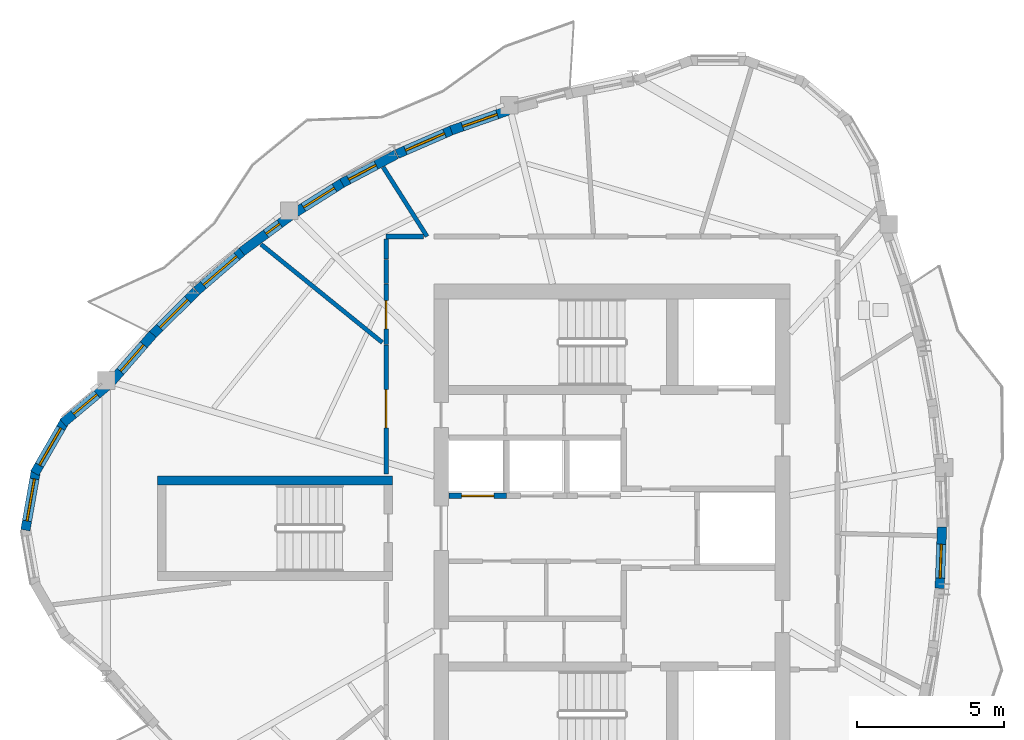
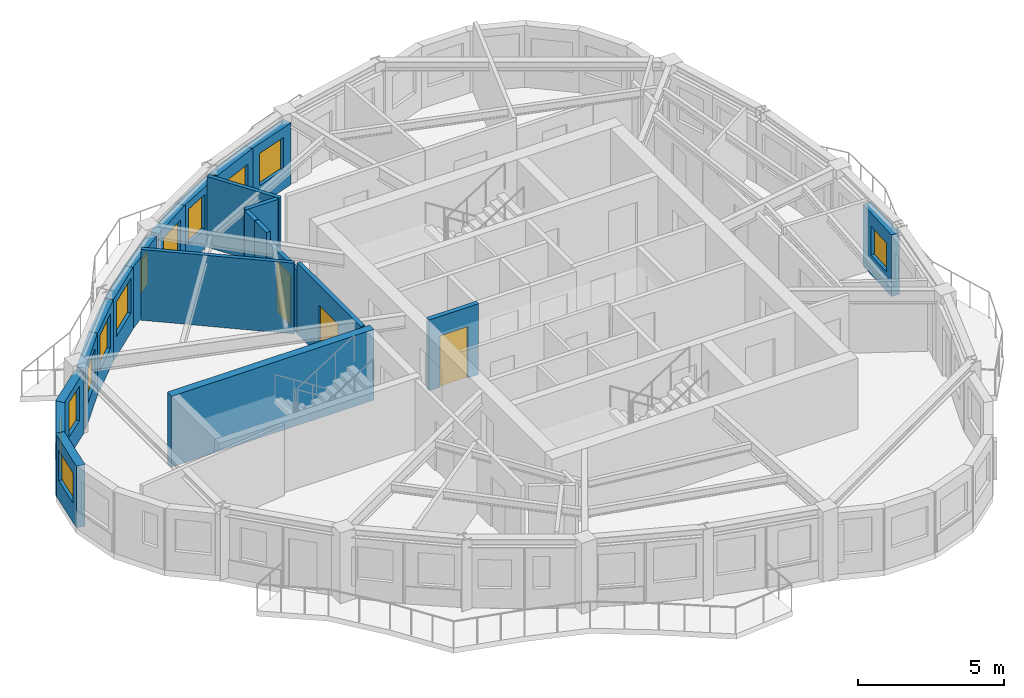
# One storey, part 5 of 11: 21 walls, 12 windows, 3 doors, 15 openings.
"""IFC4 building model written with IfcOpenShell, lengths in metres."""

from ifc_helpers import new_model, si_unit, direction, frame, frame_2d, origin, place, context, subcontext, project, spatial, rectangle, extrude, source, transform, mapped, material, layer, layer_set, type_object, element, fill, save


model = new_model("IFC4")

# Units and contexts
model_context = context("Model", 3, precision=1e-05, world=origin(), true_north=direction((0.0, 1.0)))
body_context = subcontext(model_context, "Body", "Model", "MODEL_VIEW")
ifc_project = project(units=[si_unit("LENGTHUNIT", "METRE"), si_unit("AREAUNIT", "SQUARE_METRE"), si_unit("VOLUMEUNIT", "CUBIC_METRE"), si_unit("PLANEANGLEUNIT", "RADIAN"), si_unit("MASSUNIT", "GRAM", prefix="KILO")], contexts=[model_context])

# Site, building, storey
site_placement = place(None, origin())
site = spatial("IfcSite", under=ifc_project, at=site_placement, CompositionType="ELEMENT")
building_placement = place(site_placement, origin())
building = spatial("IfcBuilding", under=site, at=building_placement, Name="Qafzar Sky-Pleat Residences", CompositionType="ELEMENT")
storey_placement = place(building_placement, frame((0.0, 0.0, 246.800048828125)))
storey = spatial("IfcBuildingStorey", under=building, at=storey_placement, Name="L74", CompositionType="ELEMENT", Elevation=246.800048828125)

# Wall, opening, door
ifc_material_1 = material(Name="Acoustic gypsum plasterboard partition", Category="gypsum")
ifc_layer_1 = layer(ifc_material_1, 0.159912109375)
ifc_layer_set_1 = layer_set([ifc_layer_1], Name="Acoustic gypsum plasterboard partition")
wall_type_1 = type_object("IfcWallType", Name="PART-COR-160", PredefinedType="PARTITIONING", material=ifc_layer_set_1)
wall_1_placement = place(storey_placement, frame((22.679931640625, 27.85009765625, 0.0), z_axis=(0.0, 0.0, 1.0), x_axis=(0.0, 1.0, 0.0)))
wall_1 = element("IfcWall", 1, at=wall_1_placement, inside=storey, type_object=wall_type_1, Name="L74 Partition Wall PART-L74-PW-003", PredefinedType="PARTITIONING", context=body_context, shape_type="SweptSolid", body=[
    extrude(rectangle(XDim=4.376953125, YDim=0.159912109375, at=frame_2d((2.1884765625, 0.0))), origin(), (0.0, 0.0, 1.0), 2.9599609375),
])
opening_1_placement = place(wall_1_placement, frame((1.55859375, 0.0, 0.0)))
opening_1 = element("IfcOpeningElement", 2, at=opening_1_placement, cuts=wall_1, Name="Opening ID-05", PredefinedType="OPENING", context=body_context, shape_type="SweptSolid", body=[
    extrude(rectangle(XDim=1.300048828125, YDim=2.10009765625, at=frame_2d((0.64990234375, 1.050048828125))), frame((0.0, 0.08984375, 0.0), z_axis=(0.0, -1.0, 0.0), x_axis=(1.0, 0.0, 0.0)), (0.0, 0.0, 1.0), 0.179931640625),
])
ifc_material_2 = material(Name="Timber-faced fire door", Category="wood")
door_type_1 = type_object("IfcDoorType", Name="DR-LNG-1300", OperationType="DOUBLE_DOOR_SINGLE_SWING", PredefinedType="DOOR", material=ifc_material_2)
shared_shape_1 = source(origin(), body_context, "Body", "SweptSolid", [
    extrude(rectangle(XDim=1.300048828125, YDim=2.10009765625, at=frame_2d((0.64990234375, 1.050048828125))), frame((0.0, 0.02490234375, 0.0), z_axis=(0.0, -1.0, 0.0), x_axis=(1.0, 0.0, 0.0)), (0.0, 0.0, 1.0), 0.050048828125),
])
door_1_placement = place(opening_1_placement, origin())
door_1 = element("IfcDoor", 3, at=door_1_placement, inside=storey, type_object=door_type_1, Name="L74 Tutorial Huddle Room Door", OperationType="DOUBLE_DOOR_SINGLE_SWING", OverallHeight=2.10009765625, OverallWidth=1.300048828125, PredefinedType="DOOR", context=body_context, shape_type="MappedRepresentation", body=[
    mapped(shared_shape_1, transform((0.0, 0.0, 0.0), x_axis=(1.0, 0.0, 0.0), y_axis=(0.0, 1.0, 0.0), z_axis=(0.0, 0.0, 1.0), scale=1.0)),
])
fill(opening_1, door_1)

wall_2_placement = place(storey_placement, frame((22.679931640625, 32.241943359375, 0.0), z_axis=(0.0, 0.0, 1.0), x_axis=(0.0, 1.0, 0.0)))
wall_2 = element("IfcWall", 4, at=wall_2_placement, inside=storey, type_object=wall_type_1, Name="L74 Partition Wall PART-L74-PW-010", PredefinedType="PARTITIONING", context=body_context, shape_type="SweptSolid", body=[
    extrude(rectangle(XDim=2.05810546875, YDim=0.159912109375, at=frame_2d((1.029052734375, 0.0))), origin(), (0.0, 0.0, 1.0), 2.6279296875),
])
opening_2_placement = place(wall_2_placement, frame((0.531982421875, 0.0, 0.0)))
opening_2 = element("IfcOpeningElement", 5, at=opening_2_placement, cuts=wall_2, Name="Opening ID-06", PredefinedType="OPENING", context=body_context, shape_type="SweptSolid", body=[
    extrude(rectangle(XDim=0.9599609375, YDim=2.10009765625, at=frame_2d((0.47998046875, 1.050048828125))), frame((0.0, 0.08984375, 0.0), z_axis=(0.0, -1.0, 0.0), x_axis=(1.0, 0.0, 0.0)), (0.0, 0.0, 1.0), 0.179931640625),
])
door_type_2 = type_object("IfcDoorType", Name="DR-STD-960", OperationType="NOTDEFINED", PredefinedType="DOOR", material=ifc_material_2)
shared_shape_2 = source(origin(), body_context, "Body", "SweptSolid", [
    extrude(rectangle(XDim=0.9599609375, YDim=2.10009765625, at=frame_2d((0.47998046875, 1.050048828125))), frame((0.0, 0.02490234375, 0.0), z_axis=(0.0, -1.0, 0.0), x_axis=(1.0, 0.0, 0.0)), (0.0, 0.0, 1.0), 0.050048828125),
])
door_2_placement = place(opening_2_placement, origin())
door_2 = element("IfcDoor", 6, at=door_2_placement, inside=storey, type_object=door_type_2, Name="L74 Media Screening Room Door", OperationType="SINGLE_SWING_LEFT", OverallHeight=2.10009765625, OverallWidth=0.9599609375, PredefinedType="DOOR", context=body_context, shape_type="MappedRepresentation", body=[
    mapped(shared_shape_2, transform((0.0, 0.0, 0.0), x_axis=(1.0, 0.0, 0.0), y_axis=(0.0, 1.0, 0.0), z_axis=(0.0, 0.0, 1.0), scale=1.0)),
])
fill(opening_2, door_2)

# Walls
wall_3_placement = place(storey_placement, frame((22.679931640625, 35.919921875, 0.0), z_axis=(0.0, 0.0, 1.0), x_axis=(1.0, 0.0, 0.0)))
element("IfcWall", 7, at=wall_3_placement, inside=storey, type_object=wall_type_1, Name="L74 Partition Wall PART-L74-PW-024", PredefinedType="PARTITIONING", context=body_context, shape_type="SweptSolid", body=[
    extrude(rectangle(XDim=1.261474609375, YDim=0.159912109375, at=frame_2d((0.630859375, 0.0))), origin(), (0.0, 0.0, 1.0), 2.9599609375),
])
wall_4_placement = place(storey_placement, frame((22.679931640625, 34.31494140625, 0.0), z_axis=(0.0, 0.0, 1.0), x_axis=(0.0, 1.0, 0.0)))
element("IfcWall", 8, at=wall_4_placement, inside=storey, type_object=wall_type_1, Name="L74 Partition Wall PART-L74-PW-028", PredefinedType="PARTITIONING", context=body_context, shape_type="SweptSolid", body=[
    extrude(rectangle(XDim=0.816162109375, YDim=0.159912109375, at=frame_2d((0.408203125, 0.0))), origin(), (0.0, 0.0, 1.0), 2.9599609375),
])
wall_5_placement = place(storey_placement, frame((22.679931640625, 35.14599609375, 0.0), z_axis=(0.0, 0.0, 1.0), x_axis=(0.0, 1.0, 0.0)))
element("IfcWall", 9, at=wall_5_placement, inside=storey, type_object=wall_type_1, Name="L74 Partition Wall PART-L74-PW-030", PredefinedType="PARTITIONING", context=body_context, shape_type="SweptSolid", body=[
    extrude(rectangle(XDim=0.68603515625, YDim=0.159912109375, at=frame_2d((0.343017578125, 0.0))), origin(), (0.0, 0.0, 1.0), 2.9599609375),
])

# Wall, opening, door
ifc_material_3 = material(Name="Concrete blockwork partition", Category="masonry")
ifc_layer_2 = layer(ifc_material_3, 0.179931640625)
ifc_layer_set_2 = layer_set([ifc_layer_2], Name="Concrete blockwork partition")
wall_type_2 = type_object("IfcWallType", Name="PART-SHAFT-180", PredefinedType="PARTITIONING", material=ifc_layer_set_2)
wall_6_placement = place(storey_placement, frame((24.81005859375, 27.10009765625, 0.0), z_axis=(0.0, 0.0, 1.0), x_axis=(1.0, 0.0, 0.0)))
wall_6 = element("IfcWall", 10, at=wall_6_placement, inside=storey, type_object=wall_type_2, Name="L74 Partition Wall PART-L74-P4-S", PredefinedType="PARTITIONING", context=body_context, shape_type="SweptSolid", body=[
    extrude(rectangle(XDim=1.96484375, YDim=0.179931640625, at=frame_2d((0.982421875, 0.0))), origin(), (0.0, 0.0, 1.0), 2.9599609375),
])
opening_3_placement = place(wall_6_placement, frame((0.4326171875, 0.0, 0.0)))
opening_3 = element("IfcOpeningElement", 11, at=opening_3_placement, cuts=wall_6, Name="Opening LD-01", PredefinedType="OPENING", context=body_context, shape_type="SweptSolid", body=[
    extrude(rectangle(XDim=1.10009765625, YDim=2.14990234375, at=frame_2d((0.550048828125, 1.074951171875))), frame((0.0, 0.10009765625, 0.0), z_axis=(0.0, -1.0, 0.0), x_axis=(1.0, 0.0, 0.0)), (0.0, 0.0, 1.0), 0.199951171875),
])
ifc_material_4 = material(Name="Stainless steel sliding landing door", Category="steel")
door_type_3 = type_object("IfcDoorType", Name="DR-LIFT-P", OperationType="DOUBLE_DOOR_SLIDING", PredefinedType="DOOR", material=ifc_material_4)
shared_shape_3 = source(origin(), body_context, "Body", "SweptSolid", [
    extrude(rectangle(XDim=1.10009765625, YDim=2.14990234375, at=frame_2d((0.550048828125, 1.074951171875))), frame((0.0, 0.02490234375, 0.0), z_axis=(0.0, -1.0, 0.0), x_axis=(1.0, 0.0, 0.0)), (0.0, 0.0, 1.0), 0.050048828125),
])
door_3_placement = place(opening_3_placement, origin())
door_3 = element("IfcDoor", 12, at=door_3_placement, inside=storey, type_object=door_type_3, Name="L74 Passenger Lift P4 Landing Door", OperationType="DOUBLE_DOOR_SLIDING", OverallHeight=2.14990234375, OverallWidth=1.10009765625, PredefinedType="DOOR", context=body_context, shape_type="MappedRepresentation", body=[
    mapped(shared_shape_3, transform((0.0, 0.0, 0.0), x_axis=(1.0, 0.0, 0.0), y_axis=(0.0, 1.0, 0.0), z_axis=(0.0, 0.0, 1.0), scale=1.0)),
])
fill(opening_3, door_3)

# Walls
ifc_layer_3 = layer(ifc_material_1, 0.14501953125)
ifc_layer_set_3 = layer_set([ifc_layer_3], Name="Acoustic gypsum plasterboard partition")
wall_type_3 = type_object("IfcWallType", Name="PART-UNIT-145", PredefinedType="PARTITIONING", material=ifc_layer_set_3)
wall_7_placement = place(storey_placement, frame((18.425537109375, 35.65087890625, 0.0), z_axis=(0.0, 0.0, 1.0), x_axis=(0.777348848989, -0.629069763202, 0.0)))
element("IfcWall", 13, at=wall_7_placement, inside=storey, type_object=wall_type_3, Name="L74 Partition Wall PART-L74-PW-015", PredefinedType="PARTITIONING", context=body_context, shape_type="SweptSolid", body=[
    extrude(rectangle(XDim=5.303466796875, YDim=0.14501953125, at=frame_2d((2.65185546875, 0.0))), origin(), (0.0, 0.0, 1.0), 2.9599609375),
])
wall_8_placement = place(storey_placement, frame((22.576416015625, 38.275390625, 0.0), z_axis=(0.0, 0.0, 1.0), x_axis=(0.535027081988, -0.84483490786, 0.0)))
element("IfcWall", 14, at=wall_8_placement, inside=storey, type_object=wall_type_3, Name="L74 Partition Wall PART-L74-PW-021", PredefinedType="PARTITIONING", context=body_context, shape_type="SweptSolid", body=[
    extrude(rectangle(XDim=2.7880859375, YDim=0.14501953125, at=frame_2d((1.39404296875, 0.0))), origin(), (0.0, 0.0, 1.0), 2.9599609375),
])

# Wall, opening, window
ifc_material_5 = material(Name="Precast concrete C40/50 with honed Riyadh limestone", Category="concrete")
ifc_layer_4 = layer(ifc_material_5, 0.320068359375)
ifc_layer_set_4 = layer_set([ifc_layer_4], Name="Precast concrete C40/50 with honed Riyadh limestone")
wall_type_4 = type_object("IfcWallType", Name="WALL-EXT-320", PredefinedType="SOLIDWALL", material=ifc_layer_set_4)
wall_9_placement = place(storey_placement, frame((13.198974609375, 30.842529296875, 0.0), z_axis=(0.0, 0.0, 1.0), x_axis=(-0.766116451135, -0.642701784112, 0.0)))
wall_9 = element("IfcWall", 15, at=wall_9_placement, inside=storey, type_object=wall_type_4, Name="L74 Limestone Facade Wall 1", PredefinedType="SOLIDWALL", context=body_context, shape_type="SweptSolid", body=[
    extrude(rectangle(XDim=1.96240234375, YDim=0.320068359375, at=frame_2d((0.981201171875, 0.0))), origin(), (0.0, 0.0, 1.0), 2.579833984375),
])
opening_4_placement = place(wall_9_placement, frame((0.451171875, 0.0, 0.820068359375)))
opening_4 = element("IfcOpeningElement", 16, at=opening_4_placement, cuts=wall_9, Name="Opening WN-06", PredefinedType="OPENING", context=body_context, shape_type="SweptSolid", body=[
    extrude(rectangle(XDim=1.050048828125, YDim=1.449951171875, at=frame_2d((0.52490234375, 0.72509765625))), frame((0.0, 0.169921875, 0.0), z_axis=(0.0, -1.0, 0.0), x_axis=(1.0, 0.0, 0.0)), (0.0, 0.0, 1.0), 0.340087890625),
])
ifc_material_6 = material(Name="Solar-control low-E glass in bronze aluminium frame", Category="glass")
window_type_1 = type_object("IfcWindowType", Name="WIN-06", PartitioningType="SINGLE_PANEL", PredefinedType="WINDOW", material=ifc_material_6)
shared_shape_4 = source(origin(), body_context, "Body", "SweptSolid", [
    extrude(rectangle(XDim=1.050048828125, YDim=1.449951171875, at=frame_2d((0.52490234375, 0.72509765625))), frame((0.0, 0.030029296875, 0.0), z_axis=(0.0, -1.0, 0.0), x_axis=(1.0, 0.0, 0.0)), (0.0, 0.0, 1.0), 0.06005859375),
])
window_1_placement = place(opening_4_placement, origin())
window_1 = element("IfcWindow", 17, at=window_1_placement, inside=storey, type_object=window_type_1, Name="L74 Punched Facade Window 01", OverallHeight=1.449951171875, OverallWidth=1.050048828125, PartitioningType="SINGLE_PANEL", PredefinedType="WINDOW", context=body_context, shape_type="MappedRepresentation", body=[
    mapped(shared_shape_4, transform((0.0, 0.0, 0.0), x_axis=(1.0, 0.0, 0.0), y_axis=(0.0, 1.0, 0.0), z_axis=(0.0, 0.0, 1.0), scale=1.0)),
])
fill(opening_4, window_1)

wall_10_placement = place(storey_placement, frame((11.779541015625, 29.68115234375, 0.0), z_axis=(0.0, 0.0, 1.0), x_axis=(-0.499995423472, -0.866028046028, 0.0)))
wall_10 = element("IfcWall", 18, at=wall_10_placement, inside=storey, type_object=wall_type_4, Name="L74 Limestone Facade Wall 2", PredefinedType="SOLIDWALL", context=body_context, shape_type="SweptSolid", body=[
    extrude(rectangle(XDim=2.09033203125, YDim=0.320068359375, at=frame_2d((1.045166015625, 0.0))), origin(), (0.0, 0.0, 1.0), 2.579833984375),
])
opening_5_placement = place(wall_10_placement, frame((0.3203125, 0.0, 0.820068359375)))
opening_5 = element("IfcOpeningElement", 19, at=opening_5_placement, cuts=wall_10, Name="Opening WN-15", PredefinedType="OPENING", context=body_context, shape_type="SweptSolid", body=[
    extrude(rectangle(XDim=1.449951171875, YDim=1.25, at=frame_2d((0.72509765625, 0.625))), frame((0.0, 0.169921875, 0.0), z_axis=(0.0, -1.0, 0.0), x_axis=(1.0, 0.0, 0.0)), (0.0, 0.0, 1.0), 0.340087890625),
])
window_type_2 = type_object("IfcWindowType", Name="WIN-15", PartitioningType="SINGLE_PANEL", PredefinedType="WINDOW", material=ifc_material_6)
shared_shape_5 = source(origin(), body_context, "Body", "SweptSolid", [
    extrude(rectangle(XDim=1.449951171875, YDim=1.25, at=frame_2d((0.72509765625, 0.625))), frame((0.0, 0.030029296875, 0.0), z_axis=(0.0, -1.0, 0.0), x_axis=(1.0, 0.0, 0.0)), (0.0, 0.0, 1.0), 0.06005859375),
])
window_2_placement = place(opening_5_placement, origin())
window_2 = element("IfcWindow", 20, at=window_2_placement, inside=storey, type_object=window_type_2, Name="L74 Punched Facade Window 02", OverallHeight=1.25, OverallWidth=1.449951171875, PartitioningType="SINGLE_PANEL", PredefinedType="WINDOW", context=body_context, shape_type="MappedRepresentation", body=[
    mapped(shared_shape_5, transform((0.0, 0.0, 0.0), x_axis=(1.0, 0.0, 0.0), y_axis=(0.0, 1.0, 0.0), z_axis=(0.0, 0.0, 1.0), scale=1.0)),
])
fill(opening_5, window_2)

wall_11_placement = place(storey_placement, frame((10.779052734375, 27.993408203125, 0.0), z_axis=(0.0, 0.0, 1.0), x_axis=(-0.173672066494, -0.984803540469, 0.0)))
wall_11 = element("IfcWall", 21, at=wall_11_placement, inside=storey, type_object=wall_type_4, Name="L74 Limestone Facade Wall 3", PredefinedType="SOLIDWALL", context=body_context, shape_type="SweptSolid", body=[
    extrude(rectangle(XDim=2.09033203125, YDim=0.320068359375, at=frame_2d((1.045166015625, 0.0))), origin(), (0.0, 0.0, 1.0), 2.579833984375),
])
opening_6_placement = place(wall_11_placement, frame((0.3203125, 0.0, 0.820068359375)))
opening_6 = element("IfcOpeningElement", 22, at=opening_6_placement, cuts=wall_11, Name="Opening WN-15", PredefinedType="OPENING", context=body_context, shape_type="SweptSolid", body=[
    extrude(rectangle(XDim=1.449951171875, YDim=1.25, at=frame_2d((0.72509765625, 0.625))), frame((0.0, 0.169921875, 0.0), z_axis=(0.0, -1.0, 0.0), x_axis=(1.0, 0.0, 0.0)), (0.0, 0.0, 1.0), 0.340087890625),
])
window_3_placement = place(opening_6_placement, origin())
window_3 = element("IfcWindow", 23, at=window_3_placement, inside=storey, type_object=window_type_2, Name="L74 Punched Facade Window 03", OverallHeight=1.25, OverallWidth=1.449951171875, PartitioningType="SINGLE_PANEL", PredefinedType="WINDOW", context=body_context, shape_type="MappedRepresentation", body=[
    mapped(shared_shape_5, transform((0.0, 0.0, 0.0), x_axis=(1.0, 0.0, 0.0), y_axis=(0.0, 1.0, 0.0), z_axis=(0.0, 0.0, 1.0), scale=1.0)),
])
fill(opening_6, window_3)

wall_12_placement = place(storey_placement, frame((41.49365234375, 23.958984375, 0.0), z_axis=(0.0, 0.0, 1.0), x_axis=(0.038028678064, 0.999276648203, 0.0)))
wall_12 = element("IfcWall", 24, at=wall_12_placement, inside=storey, type_object=wall_type_4, Name="L74 Limestone Facade Wall 27", PredefinedType="SOLIDWALL", context=body_context, shape_type="SweptSolid", body=[
    extrude(rectangle(XDim=2.08642578125, YDim=0.320068359375, at=frame_2d((1.043212890625, 0.0))), origin(), (0.0, 0.0, 1.0), 2.579833984375),
])
opening_7_placement = place(wall_12_placement, frame((0.34619140625, 0.0, 0.820068359375)))
opening_7 = element("IfcOpeningElement", 25, at=opening_7_placement, cuts=wall_12, Name="Opening WN-16", PredefinedType="OPENING", context=body_context, shape_type="SweptSolid", body=[
    extrude(rectangle(XDim=1.14990234375, YDim=1.199951171875, at=frame_2d((0.574951171875, 0.60009765625))), frame((0.0, 0.169921875, 0.0), z_axis=(0.0, -1.0, 0.0), x_axis=(1.0, 0.0, 0.0)), (0.0, 0.0, 1.0), 0.340087890625),
])
window_type_3 = type_object("IfcWindowType", Name="WIN-16", PartitioningType="SINGLE_PANEL", PredefinedType="WINDOW", material=ifc_material_6)
shared_shape_6 = source(origin(), body_context, "Body", "SweptSolid", [
    extrude(rectangle(XDim=1.14990234375, YDim=1.199951171875, at=frame_2d((0.574951171875, 0.60009765625))), frame((0.0, 0.030029296875, 0.0), z_axis=(0.0, -1.0, 0.0), x_axis=(1.0, 0.0, 0.0)), (0.0, 0.0, 1.0), 0.06005859375),
])
window_4_placement = place(opening_7_placement, origin())
window_4 = element("IfcWindow", 26, at=window_4_placement, inside=storey, type_object=window_type_3, Name="L74 Punched Facade Window 27", OverallHeight=1.199951171875, OverallWidth=1.14990234375, PartitioningType="SINGLE_PANEL", PredefinedType="WINDOW", context=body_context, shape_type="MappedRepresentation", body=[
    mapped(shared_shape_6, transform((0.0, 0.0, 0.0), x_axis=(1.0, 0.0, 0.0), y_axis=(0.0, 1.0, 0.0), z_axis=(0.0, 0.0, 1.0), scale=1.0)),
])
fill(opening_7, window_4)

wall_13_placement = place(storey_placement, frame((26.826416015625, 40.199462890625, 0.0), z_axis=(0.0, 0.0, 1.0), x_axis=(-0.944152853185, -0.329507799335, 0.0)))
wall_13 = element("IfcWall", 27, at=wall_13_placement, inside=storey, type_object=wall_type_4, Name="L74 Limestone Facade Wall 41", PredefinedType="SOLIDWALL", context=body_context, shape_type="SweptSolid", body=[
    extrude(rectangle(XDim=2.05224609375, YDim=0.320068359375, at=frame_2d((1.026123046875, 0.0))), origin(), (0.0, 0.0, 1.0), 2.579833984375),
])
opening_8_placement = place(wall_13_placement, frame((0.39599609375, 0.0, 0.820068359375)))
opening_8 = element("IfcOpeningElement", 28, at=opening_8_placement, cuts=wall_13, Name="Opening WN-11", PredefinedType="OPENING", context=body_context, shape_type="SweptSolid", body=[
    extrude(rectangle(XDim=1.25, YDim=1.35009765625, at=frame_2d((0.625, 0.675048828125))), frame((0.0, 0.169921875, 0.0), z_axis=(0.0, -1.0, 0.0), x_axis=(1.0, 0.0, 0.0)), (0.0, 0.0, 1.0), 0.340087890625),
])
window_type_4 = type_object("IfcWindowType", Name="WIN-11", PartitioningType="SINGLE_PANEL", PredefinedType="WINDOW", material=ifc_material_6)
shared_shape_7 = source(origin(), body_context, "Body", "SweptSolid", [
    extrude(rectangle(XDim=1.25, YDim=1.35009765625, at=frame_2d((0.625, 0.675048828125))), frame((0.0, 0.030029296875, 0.0), z_axis=(0.0, -1.0, 0.0), x_axis=(1.0, 0.0, 0.0)), (0.0, 0.0, 1.0), 0.06005859375),
])
window_5_placement = place(opening_8_placement, origin())
window_5 = element("IfcWindow", 29, at=window_5_placement, inside=storey, type_object=window_type_4, Name="L74 Punched Facade Window 41", OverallHeight=1.35009765625, OverallWidth=1.25, PartitioningType="SINGLE_PANEL", PredefinedType="WINDOW", context=body_context, shape_type="MappedRepresentation", body=[
    mapped(shared_shape_7, transform((0.0, 0.0, 0.0), x_axis=(1.0, 0.0, 0.0), y_axis=(0.0, 1.0, 0.0), z_axis=(0.0, 0.0, 1.0), scale=1.0)),
])
fill(opening_8, window_5)

wall_14_placement = place(storey_placement, frame((24.970458984375, 39.55517578125, 0.0), z_axis=(0.0, 0.0, 1.0), x_axis=(-0.917086701486, -0.398687825193, 0.0)))
wall_14 = element("IfcWall", 30, at=wall_14_placement, inside=storey, type_object=wall_type_4, Name="L74 Limestone Facade Wall 42", PredefinedType="SOLIDWALL", context=body_context, shape_type="SweptSolid", body=[
    extrude(rectangle(XDim=2.0986328125, YDim=0.320068359375, at=frame_2d((1.04931640625, 0.0))), origin(), (0.0, 0.0, 1.0), 2.579833984375),
])
opening_9_placement = place(wall_14_placement, frame((0.334228515625, 0.0, 0.820068359375)))
opening_9 = element("IfcOpeningElement", 31, at=opening_9_placement, cuts=wall_14, Name="Opening WN-15", PredefinedType="OPENING", context=body_context, shape_type="SweptSolid", body=[
    extrude(rectangle(XDim=1.449951171875, YDim=1.25, at=frame_2d((0.72509765625, 0.625))), frame((0.0, 0.169921875, 0.0), z_axis=(0.0, -1.0, 0.0), x_axis=(1.0, 0.0, 0.0)), (0.0, 0.0, 1.0), 0.340087890625),
])
window_6_placement = place(opening_9_placement, origin())
window_6 = element("IfcWindow", 32, at=window_6_placement, inside=storey, type_object=window_type_2, Name="L74 Punched Facade Window 42", OverallHeight=1.25, OverallWidth=1.449951171875, PartitioningType="SINGLE_PANEL", PredefinedType="WINDOW", context=body_context, shape_type="MappedRepresentation", body=[
    mapped(shared_shape_5, transform((0.0, 0.0, 0.0), x_axis=(1.0, 0.0, 0.0), y_axis=(0.0, 1.0, 0.0), z_axis=(0.0, 0.0, 1.0), scale=1.0)),
])
fill(opening_9, window_6)

wall_15_placement = place(storey_placement, frame((23.02099609375, 38.70654296875, 0.0), z_axis=(0.0, 0.0, 1.0), x_axis=(-0.884384752847, -0.466758619558, 0.0)))
wall_15 = element("IfcWall", 33, at=wall_15_placement, inside=storey, type_object=wall_type_4, Name="L74 Limestone Facade Wall 43", PredefinedType="SOLIDWALL", context=body_context, shape_type="SweptSolid", body=[
    extrude(rectangle(XDim=2.0869140625, YDim=0.320068359375, at=frame_2d((1.04345703125, 0.0))), origin(), (0.0, 0.0, 1.0), 2.579833984375),
])
opening_10_placement = place(wall_15_placement, frame((0.776611328125, 0.0, 0.820068359375)))
opening_10 = element("IfcOpeningElement", 34, at=opening_10_placement, cuts=wall_15, Name="Opening WN-06", PredefinedType="OPENING", context=body_context, shape_type="SweptSolid", body=[
    extrude(rectangle(XDim=1.050048828125, YDim=1.449951171875, at=frame_2d((0.52490234375, 0.72509765625))), frame((0.0, 0.169921875, 0.0), z_axis=(0.0, -1.0, 0.0), x_axis=(1.0, 0.0, 0.0)), (0.0, 0.0, 1.0), 0.340087890625),
])
window_7_placement = place(opening_10_placement, origin())
window_7 = element("IfcWindow", 35, at=window_7_placement, inside=storey, type_object=window_type_1, Name="L74 Punched Facade Window 43-2", OverallHeight=1.449951171875, OverallWidth=1.050048828125, PartitioningType="SINGLE_PANEL", PredefinedType="WINDOW", context=body_context, shape_type="MappedRepresentation", body=[
    mapped(shared_shape_4, transform((0.0, 0.0, 0.0), x_axis=(1.0, 0.0, 0.0), y_axis=(0.0, 1.0, 0.0), z_axis=(0.0, 0.0, 1.0), scale=1.0)),
])
fill(opening_10, window_7)

wall_16_placement = place(storey_placement, frame((21.251708984375, 37.776611328125, 0.0), z_axis=(0.0, 0.0, 1.0), x_axis=(-0.846382416581, -0.532575633034, 0.0)))
wall_16 = element("IfcWall", 36, at=wall_16_placement, inside=storey, type_object=wall_type_4, Name="L74 Limestone Facade Wall 44", PredefinedType="SOLIDWALL", context=body_context, shape_type="SweptSolid", body=[
    extrude(rectangle(XDim=2.0166015625, YDim=0.320068359375, at=frame_2d((1.00830078125, 0.0))), origin(), (0.0, 0.0, 1.0), 2.579833984375),
])
opening_11_placement = place(wall_16_placement, frame((0.38818359375, 0.0, 0.820068359375)))
opening_11 = element("IfcOpeningElement", 37, at=opening_11_placement, cuts=wall_16, Name="Opening WN-11", PredefinedType="OPENING", context=body_context, shape_type="SweptSolid", body=[
    extrude(rectangle(XDim=1.25, YDim=1.35009765625, at=frame_2d((0.625, 0.675048828125))), frame((0.0, 0.169921875, 0.0), z_axis=(0.0, -1.0, 0.0), x_axis=(1.0, 0.0, 0.0)), (0.0, 0.0, 1.0), 0.340087890625),
])
window_8_placement = place(opening_11_placement, origin())
window_8 = element("IfcWindow", 38, at=window_8_placement, inside=storey, type_object=window_type_4, Name="L74 Punched Facade Window 44", OverallHeight=1.35009765625, OverallWidth=1.25, PartitioningType="SINGLE_PANEL", PredefinedType="WINDOW", context=body_context, shape_type="MappedRepresentation", body=[
    mapped(shared_shape_7, transform((0.0, 0.0, 0.0), x_axis=(1.0, 0.0, 0.0), y_axis=(0.0, 1.0, 0.0), z_axis=(0.0, 0.0, 1.0), scale=1.0)),
])
fill(opening_11, window_8)

wall_17_placement = place(storey_placement, frame((19.40625, 36.60791015625, 0.0), z_axis=(0.0, 0.0, 1.0), x_axis=(-0.803853407146, -0.594827453821, 0.0)))
wall_17 = element("IfcWall", 39, at=wall_17_placement, inside=storey, type_object=wall_type_4, Name="L74 Limestone Facade Wall 45", PredefinedType="SOLIDWALL", context=body_context, shape_type="SweptSolid", body=[
    extrude(rectangle(XDim=2.02880859375, YDim=0.320068359375, at=frame_2d((1.014404296875, 0.0))), origin(), (0.0, 0.0, 1.0), 2.579833984375),
])
opening_12_placement = place(wall_17_placement, frame((0.42822265625, 0.0, 0.820068359375)))
opening_12 = element("IfcOpeningElement", 40, at=opening_12_placement, cuts=wall_17, Name="Opening WN-17", PredefinedType="OPENING", context=body_context, shape_type="SweptSolid", body=[
    extrude(rectangle(XDim=0.580078125, YDim=1.35009765625, at=frame_2d((0.2900390625, 0.675048828125))), frame((0.0, 0.169921875, 0.0), z_axis=(0.0, -1.0, 0.0), x_axis=(1.0, 0.0, 0.0)), (0.0, 0.0, 1.0), 0.340087890625),
])
window_type_5 = type_object("IfcWindowType", Name="WIN-17", PartitioningType="SINGLE_PANEL", PredefinedType="WINDOW", material=ifc_material_6)
shared_shape_8 = source(origin(), body_context, "Body", "SweptSolid", [
    extrude(rectangle(XDim=0.580078125, YDim=1.35009765625, at=frame_2d((0.2900390625, 0.675048828125))), frame((0.0, 0.030029296875, 0.0), z_axis=(0.0, -1.0, 0.0), x_axis=(1.0, 0.0, 0.0)), (0.0, 0.0, 1.0), 0.06005859375),
])
window_9_placement = place(opening_12_placement, origin())
window_9 = element("IfcWindow", 41, at=window_9_placement, inside=storey, type_object=window_type_5, Name="L74 Punched Facade Window 45", OverallHeight=1.35009765625, OverallWidth=0.580078125, PartitioningType="SINGLE_PANEL", PredefinedType="WINDOW", context=body_context, shape_type="MappedRepresentation", body=[
    mapped(shared_shape_8, transform((0.0, 0.0, 0.0), x_axis=(1.0, 0.0, 0.0), y_axis=(0.0, 1.0, 0.0), z_axis=(0.0, 0.0, 1.0), scale=1.0)),
])
fill(opening_12, window_9)

wall_18_placement = place(storey_placement, frame((17.843994140625, 35.4560546875, 0.0), z_axis=(0.0, 0.0, 1.0), x_axis=(-0.757409961601, -0.652939622069, 0.0)))
wall_18 = element("IfcWall", 42, at=wall_18_placement, inside=storey, type_object=wall_type_4, Name="L74 Limestone Facade Wall 46", PredefinedType="SOLIDWALL", context=body_context, shape_type="SweptSolid", body=[
    extrude(rectangle(XDim=2.121826171875, YDim=0.320068359375, at=frame_2d((1.06103515625, 0.0))), origin(), (0.0, 0.0, 1.0), 2.579833984375),
])
opening_13_placement = place(wall_18_placement, frame((0.321044921875, 0.0, 0.820068359375)))
opening_13 = element("IfcOpeningElement", 43, at=opening_13_placement, cuts=wall_18, Name="Opening WN-03", PredefinedType="OPENING", context=body_context, shape_type="SweptSolid", body=[
    extrude(rectangle(XDim=1.5, YDim=1.449951171875, at=frame_2d((0.75, 0.72509765625))), frame((0.0, 0.169921875, 0.0), z_axis=(0.0, -1.0, 0.0), x_axis=(1.0, 0.0, 0.0)), (0.0, 0.0, 1.0), 0.340087890625),
])
window_type_6 = type_object("IfcWindowType", Name="WIN-03", PartitioningType="DOUBLE_PANEL_VERTICAL", PredefinedType="WINDOW", material=ifc_material_6)
shared_shape_9 = source(origin(), body_context, "Body", "SweptSolid", [
    extrude(rectangle(XDim=1.5, YDim=1.449951171875, at=frame_2d((0.75, 0.72509765625))), frame((0.0, 0.030029296875, 0.0), z_axis=(0.0, -1.0, 0.0), x_axis=(1.0, 0.0, 0.0)), (0.0, 0.0, 1.0), 0.06005859375),
])
window_10_placement = place(opening_13_placement, origin())
window_10 = element("IfcWindow", 44, at=window_10_placement, inside=storey, type_object=window_type_6, Name="L74 Punched Facade Window 46", OverallHeight=1.449951171875, OverallWidth=1.5, PartitioningType="SINGLE_PANEL", PredefinedType="WINDOW", context=body_context, shape_type="MappedRepresentation", body=[
    mapped(shared_shape_9, transform((0.0, 0.0, 0.0), x_axis=(1.0, 0.0, 0.0), y_axis=(0.0, 1.0, 0.0), z_axis=(0.0, 0.0, 1.0), scale=1.0)),
])
fill(opening_13, window_10)

wall_19_placement = place(storey_placement, frame((16.2158203125, 34.051025390625, 0.0), z_axis=(0.0, 0.0, 1.0), x_axis=(-0.708407178152, -0.70580398833, 0.0)))
wall_19 = element("IfcWall", 45, at=wall_19_placement, inside=storey, type_object=wall_type_4, Name="L74 Limestone Facade Wall 47", PredefinedType="SOLIDWALL", context=body_context, shape_type="SweptSolid", body=[
    extrude(rectangle(XDim=2.156982421875, YDim=0.320068359375, at=frame_2d((1.07861328125, 0.0))), origin(), (0.0, 0.0, 1.0), 2.579833984375),
])
opening_14_placement = place(wall_19_placement, frame((0.3935546875, 0.0, 0.820068359375)))
opening_14 = element("IfcOpeningElement", 46, at=opening_14_placement, cuts=wall_19, Name="Opening WN-04", PredefinedType="OPENING", context=body_context, shape_type="SweptSolid", body=[
    extrude(rectangle(XDim=1.35009765625, YDim=1.449951171875, at=frame_2d((0.675048828125, 0.72509765625))), frame((0.0, 0.169921875, 0.0), z_axis=(0.0, -1.0, 0.0), x_axis=(1.0, 0.0, 0.0)), (0.0, 0.0, 1.0), 0.340087890625),
])
window_type_7 = type_object("IfcWindowType", Name="WIN-04", PartitioningType="SINGLE_PANEL", PredefinedType="WINDOW", material=ifc_material_6)
shared_shape_10 = source(origin(), body_context, "Body", "SweptSolid", [
    extrude(rectangle(XDim=1.35009765625, YDim=1.449951171875, at=frame_2d((0.675048828125, 0.72509765625))), frame((0.0, 0.030029296875, 0.0), z_axis=(0.0, -1.0, 0.0), x_axis=(1.0, 0.0, 0.0)), (0.0, 0.0, 1.0), 0.06005859375),
])
window_11_placement = place(opening_14_placement, origin())
window_11 = element("IfcWindow", 47, at=window_11_placement, inside=storey, type_object=window_type_7, Name="L74 Punched Facade Window 47", OverallHeight=1.449951171875, OverallWidth=1.35009765625, PartitioningType="SINGLE_PANEL", PredefinedType="WINDOW", context=body_context, shape_type="MappedRepresentation", body=[
    mapped(shared_shape_10, transform((0.0, 0.0, 0.0), x_axis=(1.0, 0.0, 0.0), y_axis=(0.0, 1.0, 0.0), z_axis=(0.0, 0.0, 1.0), scale=1.0)),
])
fill(opening_14, window_11)

wall_20_placement = place(storey_placement, frame((14.747314453125, 32.59228515625, 0.0), z_axis=(0.0, 0.0, 1.0), x_axis=(-0.657637026097, -0.753334946691, 0.0)))
wall_20 = element("IfcWall", 48, at=wall_20_placement, inside=storey, type_object=wall_type_4, Name="L74 Limestone Facade Wall 48", PredefinedType="SOLIDWALL", context=body_context, shape_type="SweptSolid", body=[
    extrude(rectangle(XDim=2.1328125, YDim=0.320068359375, at=frame_2d((1.06640625, 0.0))), origin(), (0.0, 0.0, 1.0), 2.579833984375),
])
opening_15_placement = place(wall_20_placement, frame((0.471435546875, 0.0, 0.820068359375)))
opening_15 = element("IfcOpeningElement", 49, at=opening_15_placement, cuts=wall_20, Name="Opening WN-05", PredefinedType="OPENING", context=body_context, shape_type="SweptSolid", body=[
    extrude(rectangle(XDim=1.199951171875, YDim=1.449951171875, at=frame_2d((0.60009765625, 0.72509765625))), frame((0.0, 0.169921875, 0.0), z_axis=(0.0, -1.0, 0.0), x_axis=(1.0, 0.0, 0.0)), (0.0, 0.0, 1.0), 0.340087890625),
])
window_type_8 = type_object("IfcWindowType", Name="WIN-05", PartitioningType="SINGLE_PANEL", PredefinedType="WINDOW", material=ifc_material_6)
shared_shape_11 = source(origin(), body_context, "Body", "SweptSolid", [
    extrude(rectangle(XDim=1.199951171875, YDim=1.449951171875, at=frame_2d((0.60009765625, 0.72509765625))), frame((0.0, 0.030029296875, 0.0), z_axis=(0.0, -1.0, 0.0), x_axis=(1.0, 0.0, 0.0)), (0.0, 0.0, 1.0), 0.06005859375),
])
window_12_placement = place(opening_15_placement, origin())
window_12 = element("IfcWindow", 50, at=window_12_placement, inside=storey, type_object=window_type_8, Name="L74 Punched Facade Window 48", OverallHeight=1.449951171875, OverallWidth=1.199951171875, PartitioningType="SINGLE_PANEL", PredefinedType="WINDOW", context=body_context, shape_type="MappedRepresentation", body=[
    mapped(shared_shape_11, transform((0.0, 0.0, 0.0), x_axis=(1.0, 0.0, 0.0), y_axis=(0.0, 1.0, 0.0), z_axis=(0.0, 0.0, 1.0), scale=1.0)),
])
fill(opening_15, window_12)

# Wall
ifc_material_7 = material(Name="Concrete C60/75", Category="concrete")
ifc_layer_5 = layer(ifc_material_7, 0.300048828125)
ifc_layer_set_5 = layer_set([ifc_layer_5], Name="Concrete C60/75")
wall_type_5 = type_object("IfcWallType", Name="WALL-SHEAR-300", PredefinedType="SHEAR", material=ifc_layer_set_5)
wall_21_placement = place(storey_placement, frame((22.89990234375, 27.625, 0.0), z_axis=(0.0, 0.0, 1.0), x_axis=(-1.0, 0.0, 0.0)))
element("IfcWall", 51, at=wall_21_placement, inside=storey, type_object=wall_type_5, Name="L74 ST3 wall N", PredefinedType="SHEAR", context=body_context, shape_type="SweptSolid", body=[
    extrude(rectangle(XDim=8.0, YDim=0.300048828125, at=frame_2d((4.0, 0.0))), origin(), (0.0, 0.0, 1.0), 2.9599609375),
])

save(model, "model.ifc")
